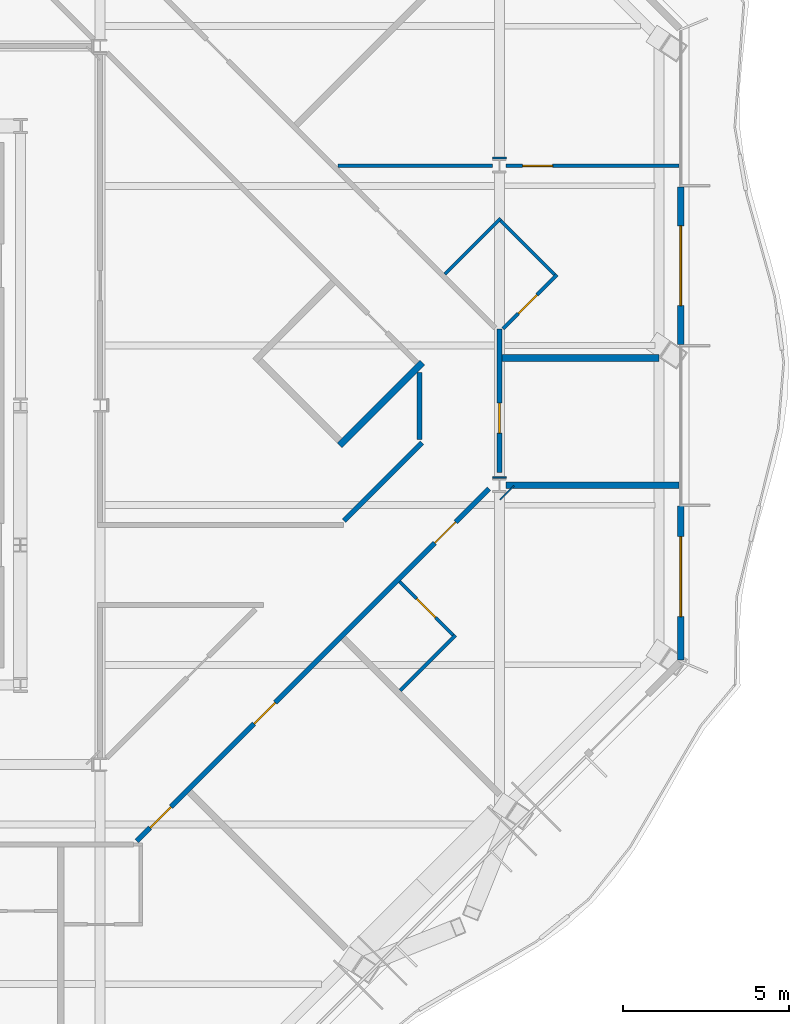
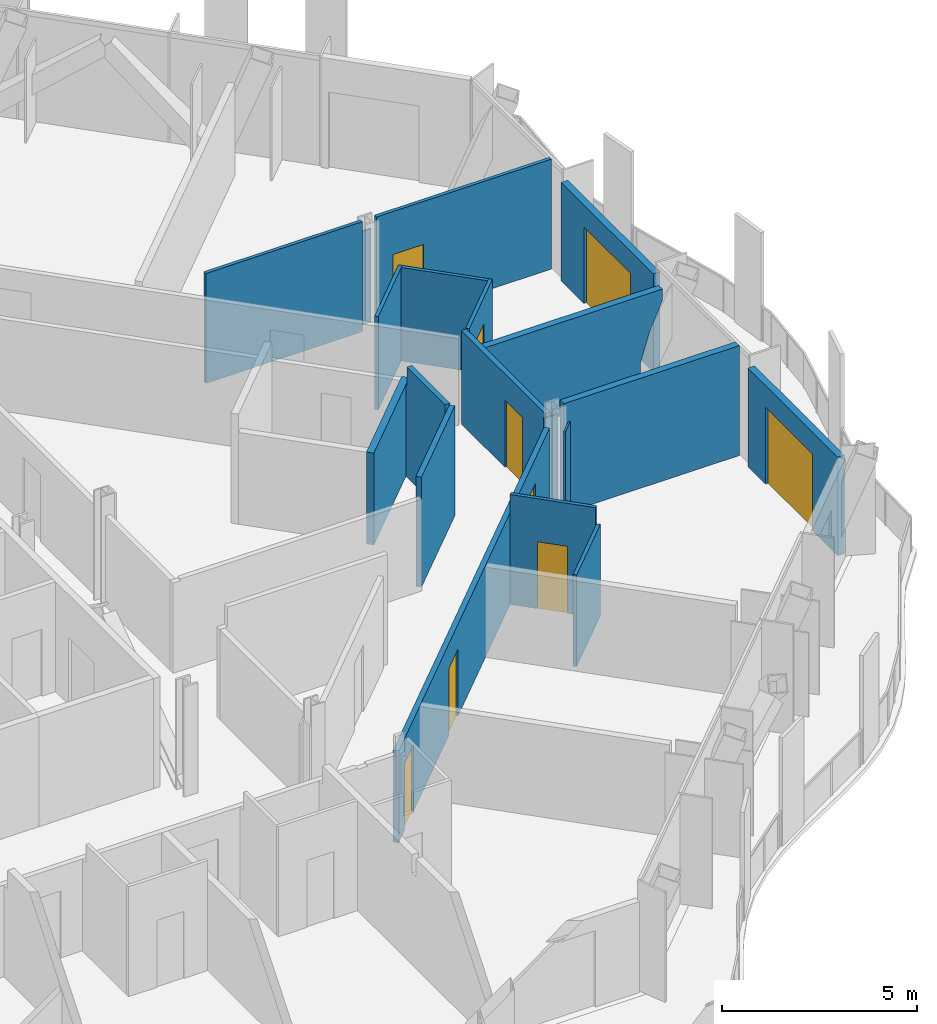
# One storey, part 11 of 21: 19 walls, 9 doors, 9 openings.
"""IFC4 building model written with IfcOpenShell, lengths in metres."""

import ifcopenshell
import ifcopenshell.guid

model = None  # the IFC model being written
_history = None  # IfcOwnerHistory: only IFC2X3 demands one
_inside = {}  # id of a spatial element -> (the spatial element, [elements in it])
_under = {}  # id of a project, library or spatial element -> (it, [spatial elements below it])
_declared = {}  # id of a project -> (the project, [libraries it declares])
_typed = {}  # id of a type object -> (the type object, [elements of that type])
_made_of = {}  # id of a material, layer set ... -> (it, [elements and type objects made of it])


def new_model(schema):
    """Start an empty IFC model of exactly this schema.

    Asked for "IFC4X3", IfcOpenShell would pick the latest addendum, in which some entities
    have other attributes; the version numbers below select the first issue.
    IFC2X3 requires an IfcOwnerHistory on every rooted entity: one is made here for all.
    """
    global model, _history
    if schema == "IFC4X3":
        model = ifcopenshell.file(schema_version=(4, 3, 0, 0))
    else:
        model = ifcopenshell.file(schema=schema)
    _inside.clear()
    _under.clear()
    _declared.clear()
    _typed.clear()
    _made_of.clear()
    _history = None
    if model.schema == "IFC2X3":
        org = make("IfcOrganization", Name="unknown")
        user = make(
            "IfcPersonAndOrganization",
            ThePerson=make("IfcPerson", FamilyName="unknown"),
            TheOrganization=org,
        )
        app = make(
            "IfcApplication",
            ApplicationDeveloper=org,
            Version="unknown",
            ApplicationFullName="unknown",
            ApplicationIdentifier="unknown",
        )
        _history = make(
            "IfcOwnerHistory",
            OwningUser=user,
            OwningApplication=app,
            ChangeAction="ADDED",
            CreationDate=0,
        )
    return model


def make(cls, **values):
    """One entity of the class cls with the attributes given. An attribute that is None is left unset."""
    return model.create_entity(
        cls, **{name: value for name, value in values.items() if value is not None}
    )


def rooted(cls, **values):
    """An entity with a GlobalId (a new one), such as an element, a storey or a relation."""
    return make(cls, GlobalId=ifcopenshell.guid.new(), OwnerHistory=_history, **values)


def si_unit(unit_type, name, prefix=None):
    """IfcSIUnit, for example si_unit("LENGTHUNIT", "METRE", prefix="MILLI")."""
    return make("IfcSIUnit", UnitType=unit_type, Prefix=prefix, Name=name)


def assignment(units):
    """IfcUnitAssignment: the units of a project."""
    return None if units is None else make("IfcUnitAssignment", Units=units)


def point(xyz):
    """IfcCartesianPoint."""
    return None if xyz is None else make("IfcCartesianPoint", Coordinates=xyz)


def direction(xyz):
    """IfcDirection."""
    return None if xyz is None else make("IfcDirection", DirectionRatios=xyz)


def frame(location, z_axis=None, x_axis=None):
    """IfcAxis2Placement3D, a coordinate frame: its origin and axes. An axis left out is left unset."""
    return make(
        "IfcAxis2Placement3D",
        Location=point(location),
        Axis=direction(z_axis),
        RefDirection=direction(x_axis),
    )


def frame_2d(location, x_axis=None):
    """IfcAxis2Placement2D, a coordinate frame in the plane: its origin and x axis."""
    return make(
        "IfcAxis2Placement2D", Location=point(location), RefDirection=direction(x_axis)
    )


def origin():
    """The frame at (0, 0, 0) with its axes left unset."""
    return frame((0.0, 0.0, 0.0))


def place(relative_to, where):
    """IfcLocalPlacement: puts the frame where relative to a parent placement (None: the world)."""
    return make(
        "IfcLocalPlacement", PlacementRelTo=relative_to, RelativePlacement=where
    )


def context(
    kind, dimensions, precision=None, world=None, true_north=None, identifier=None
):
    """IfcGeometricRepresentationContext, for example the 3D "Model" context."""
    return make(
        "IfcGeometricRepresentationContext",
        ContextIdentifier=identifier,
        ContextType=kind,
        CoordinateSpaceDimension=dimensions,
        Precision=precision,
        WorldCoordinateSystem=world,
        TrueNorth=true_north,
    )


def subcontext(parent, identifier, kind, view, scale=None):
    """IfcGeometricRepresentationSubContext, for example "Body" below "Model"."""
    return make(
        "IfcGeometricRepresentationSubContext",
        ContextIdentifier=identifier,
        ContextType=kind,
        ParentContext=parent,
        TargetScale=scale,
        TargetView=view,
    )


def project(units=None, contexts=None):
    """IfcProject with its units and contexts."""
    return rooted(
        "IfcProject",
        Name="project",
        RepresentationContexts=contexts,
        UnitsInContext=assignment(units),
    )


def spatial(cls, under=None, at=None, **own):
    """A site, building, storey or space (cls), placed at a placement, below another one or the project."""
    s = rooted(cls, ObjectPlacement=at, **own)
    if under is not None:
        _under.setdefault(under.id(), (under, []))[1].append(s)
    return s


def polyline(points):
    """IfcPolyline through the points."""
    return make("IfcPolyline", Points=[point(p) for p in points])


def profile(cls, at=None, kind="AREA", **sizes):
    """A parametric profile (cls). Its sizes go by their IFC names, for example OverallWidth=200.0."""
    return make(cls, ProfileType=kind, Position=at, **sizes)


def rectangle(**sizes):
    """IfcRectangleProfileDef."""
    return profile("IfcRectangleProfileDef", **sizes)


def outline(outer, holes=None, kind="AREA"):
    """IfcArbitraryClosedProfileDef: a profile drawn as a closed curve; with holes, ...WithVoids."""
    if holes is None:
        return make("IfcArbitraryClosedProfileDef", ProfileType=kind, OuterCurve=outer)
    return make(
        "IfcArbitraryProfileDefWithVoids",
        ProfileType=kind,
        OuterCurve=outer,
        InnerCurves=holes,
    )


def extrude(swept, where, along, depth):
    """IfcExtrudedAreaSolid: the profile swept, set in the frame where, extruded along a direction by depth."""
    return make(
        "IfcExtrudedAreaSolid",
        SweptArea=swept,
        Position=where,
        ExtrudedDirection=direction(along),
        Depth=depth,
    )


def shape(context_of_items, identifier, shape_type, items):
    """IfcShapeRepresentation: the items that make up one representation, for example the "Body"."""
    return make(
        "IfcShapeRepresentation",
        ContextOfItems=context_of_items,
        RepresentationIdentifier=identifier,
        RepresentationType=shape_type,
        Items=items,
    )


def material(Name=None, Category=None):
    """IfcMaterial."""
    return make("IfcMaterial", Name=Name, Category=Category)


def layer(
    of_material, thickness, ventilated=None, Name=None, Category=None, Priority=None
):
    """IfcMaterialLayer: one layer of a wall or slab, of a material (None: an air gap)."""
    return make(
        "IfcMaterialLayer",
        Material=of_material,
        LayerThickness=thickness,
        IsVentilated=ventilated,
        Name=Name,
        Category=Category,
        Priority=Priority,
    )


def layer_set(layers, Name=None):
    """IfcMaterialLayerSet."""
    return make("IfcMaterialLayerSet", MaterialLayers=layers, LayerSetName=Name)


def made_of(thing, what):
    """Note that an element or type object is made of a material, layer set ...; save() writes the relation."""
    if what is not None:
        _made_of.setdefault(what.id(), (what, []))[1].append(thing)
    return thing


def type_object(cls, material=None, **own):
    """A type object (cls), such as IfcWallType, which elements share."""
    return made_of(rooted(cls, **own), material)


def element(
    cls,
    number,
    at=None,
    inside=None,
    cuts=None,
    type_object=None,
    material=None,
    context=None,
    identifier="Body",
    shape_type=None,
    held_by="IfcProductDefinitionShape",
    body=None,
    shapes=None,
    **own,
):
    """One element of the class cls, such as IfcWall. Its Tag is "e" and its number.

    at: its placement. inside: the storey or other place that contains it. cuts: it is an
    opening in that element (IfcRelVoidsElement). A single representation is given by context,
    identifier, shape_type and body (its items); several are given by shapes. held_by: the class
    of the entity that holds the representations. save() writes the other relations.
    """
    e = rooted(cls, Tag="e%d" % number, ObjectPlacement=at, **own)
    if body is not None:
        shapes = [shape(context, identifier, shape_type, body)]
    if shapes is not None:
        e.Representation = make(held_by, Representations=shapes)
    if inside is not None:
        _inside.setdefault(inside.id(), (inside, []))[1].append(e)
    if cuts is not None:
        rooted(
            "IfcRelVoidsElement", RelatingBuildingElement=cuts, RelatedOpeningElement=e
        )
    if type_object is not None:
        _typed.setdefault(type_object.id(), (type_object, []))[1].append(e)
    return made_of(e, material)


def fill(opening, filler):
    """IfcRelFillsElement: the door or window that sits in an opening."""
    return rooted(
        "IfcRelFillsElement",
        RelatingOpeningElement=opening,
        RelatedBuildingElement=filler,
    )


def aggregate(whole, parts):
    """IfcRelAggregates: a whole, such as a stair, and the parts it consists of."""
    return rooted("IfcRelAggregates", RelatingObject=whole, RelatedObjects=parts)


def save(model, path):
    """Write the relations noted so far, then the file.

    IfcRelAggregates (storeys below a building ...), IfcRelContainedInSpatialStructure (elements
    in a storey), IfcRelDefinesByType, IfcRelAssociatesMaterial and IfcRelDeclares: one each for
    every whole, place, type object, material and project.
    """
    for whole, parts in _under.values():
        aggregate(whole, parts)
    for where, things in _inside.values():
        rooted(
            "IfcRelContainedInSpatialStructure",
            RelatedElements=things,
            RelatingStructure=where,
        )
    for kind, things in _typed.values():
        rooted("IfcRelDefinesByType", RelatedObjects=things, RelatingType=kind)
    for what, things in _made_of.values():
        rooted("IfcRelAssociatesMaterial", RelatedObjects=things, RelatingMaterial=what)
    for by, libraries in _declared.values():
        rooted("IfcRelDeclares", RelatingContext=by, RelatedDefinitions=libraries)
    model.write(path)


model = new_model("IFC4")

# Units and contexts
model_context = context("Model", 3, precision=1e-05, world=origin(), true_north=direction((0.0, 1.0)))
body_context = subcontext(model_context, "Body", "Model", "MODEL_VIEW")
ifc_project = project(units=[si_unit("LENGTHUNIT", "METRE"), si_unit("AREAUNIT", "SQUARE_METRE"), si_unit("VOLUMEUNIT", "CUBIC_METRE"), si_unit("PLANEANGLEUNIT", "RADIAN"), si_unit("MASSUNIT", "GRAM", prefix="KILO")], contexts=[model_context])

# Site, building, storey
site_placement = place(None, origin())
site = spatial("IfcSite", under=ifc_project, at=site_placement, CompositionType="ELEMENT")
building_placement = place(site_placement, origin())
building = spatial("IfcBuilding", under=site, at=building_placement, Name="Cairn Pilgrim Tower", CompositionType="ELEMENT")
storey_placement = place(building_placement, frame((0.0, 0.0, 179.39990234375)))
storey = spatial("IfcBuildingStorey", under=building, at=storey_placement, Name="L45", CompositionType="ELEMENT", Elevation=179.39990234375)

# Wall, opening, door
ifc_material_1 = material(Name="Bronze anodised aluminium insulated sandwich panel with mineral wool fill", Category="aluminium")
ifc_layer_1 = layer(ifc_material_1, 0.199951171875)
ifc_layer_set_1 = layer_set([ifc_layer_1], Name="BRONZE INFILL FRAME WALL 200")
wall_type_1 = type_object("IfcWallType", Name="BRONZE INFILL FRAME WALL 200", PredefinedType="NOTDEFINED", material=ifc_layer_set_1)
wall_1_placement = place(storey_placement, frame((36.64990234375, -5.25634765625, 0.0), z_axis=(0.0, 0.0, 1.0), x_axis=(0.0, 1.0, 0.0)))
wall_1 = element("IfcWall", 1, at=wall_1_placement, inside=storey, type_object=wall_type_1, Name="Bronze infill frame wall IW-E1", PredefinedType="NOTDEFINED", context=body_context, shape_type="SweptSolid", body=[
    extrude(rectangle(XDim=4.62646484375, YDim=0.199951171875, at=frame_2d((2.313232421875, 0.0))), origin(), (0.0, 0.0, 1.0), 3.090087890625),
])
opening_1_placement = place(wall_1_placement, frame((1.308349609375, 0.0, 0.0)))
opening_1 = element("IfcOpeningElement", 2, at=opening_1_placement, cuts=wall_1, Name="Opening 4505B", PredefinedType="OPENING", context=body_context, shape_type="SweptSolid", body=[
    extrude(rectangle(XDim=2.39990234375, YDim=2.39990234375, at=frame_2d((1.199951171875, 1.199951171875))), frame((0.0, 0.10986328125, 0.0), z_axis=(0.0, -1.0, 0.0), x_axis=(1.0, 0.0, 0.0)), (0.0, 0.0, 1.0), 0.219970703125),
])
ifc_material_2 = material(Name="Bronze anodised aluminium frame with tinted low-E glass", Category="aluminium")
door_type_1 = type_object("IfcDoorType", Name="BALCONY SLIDING DOOR 2400x2400", OperationType="DOUBLE_DOOR_SLIDING", PredefinedType="DOOR", material=ifc_material_2)
door_1_placement = place(opening_1_placement, origin())
door_1 = element("IfcDoor", 3, at=door_1_placement, inside=storey, type_object=door_type_1, Name="Balcony sliding door 4505B", OperationType="SINGLE_SWING_LEFT", OverallHeight=2.39990234375, OverallWidth=2.39990234375, PredefinedType="DOOR", context=body_context, shape_type="SweptSolid", body=[
    extrude(rectangle(XDim=2.39990234375, YDim=2.39990234375, at=frame_2d((1.199951171875, 1.199951171875))), frame((0.0, 0.02490234375, 0.0), z_axis=(0.0, -1.0, 0.0), x_axis=(1.0, 0.0, 0.0)), (0.0, 0.0, 1.0), 0.050048828125),
])
fill(opening_1, door_1)

wall_2_placement = place(storey_placement, frame((36.64990234375, 4.22998046875, 0.0), z_axis=(0.0, 0.0, 1.0), x_axis=(0.0, 1.0, 0.0)))
wall_2 = element("IfcWall", 4, at=wall_2_placement, inside=storey, type_object=wall_type_1, Name="Bronze infill frame wall IW-E3", PredefinedType="NOTDEFINED", context=body_context, shape_type="SweptSolid", body=[
    extrude(rectangle(XDim=4.739990234375, YDim=0.199951171875, at=frame_2d((2.3701171875, 0.0))), origin(), (0.0, 0.0, 1.0), 3.090087890625),
])
opening_2_placement = place(wall_2_placement, frame((1.169921875, 0.0, 0.0)))
opening_2 = element("IfcOpeningElement", 5, at=opening_2_placement, cuts=wall_2, Name="Opening 4507B", PredefinedType="OPENING", context=body_context, shape_type="SweptSolid", body=[
    extrude(rectangle(XDim=2.39990234375, YDim=2.39990234375, at=frame_2d((1.199951171875, 1.199951171875))), frame((0.0, 0.10986328125, 0.0), z_axis=(0.0, -1.0, 0.0), x_axis=(1.0, 0.0, 0.0)), (0.0, 0.0, 1.0), 0.219970703125),
])
door_2_placement = place(opening_2_placement, origin())
door_2 = element("IfcDoor", 6, at=door_2_placement, inside=storey, type_object=door_type_1, Name="Balcony sliding door 4507B", OperationType="SINGLE_SWING_LEFT", OverallHeight=2.39990234375, OverallWidth=2.39990234375, PredefinedType="DOOR", context=body_context, shape_type="SweptSolid", body=[
    extrude(rectangle(XDim=2.39990234375, YDim=2.39990234375, at=frame_2d((1.199951171875, 1.199951171875))), frame((0.0, 0.02490234375, 0.0), z_axis=(0.0, -1.0, 0.0), x_axis=(1.0, 0.0, 0.0)), (0.0, 0.0, 1.0), 0.050048828125),
])
fill(opening_2, door_2)

# Wall
ifc_material_3 = material(Name="Gypsum partition")
ifc_layer_2 = layer(ifc_material_3, 0.10009765625)
ifc_layer_set_2 = layer_set([ifc_layer_2], Name="PARTITION 100 DRYWALL")
wall_type_2 = type_object("IfcWallType", Name="PARTITION 100 DRYWALL", PredefinedType="PARTITIONING", material=ifc_layer_set_2)
wall_3_placement = place(storey_placement, frame((28.220703125, -6.167236328125, 0.0), z_axis=(0.0, 0.0, 1.0), x_axis=(0.707106781187, 0.707106781187, 0.0)))
element("IfcWall", 7, at=wall_3_placement, inside=storey, type_object=wall_type_2, Name="PARTITION W032", PredefinedType="PARTITIONING", context=body_context, shape_type="SweptSolid", body=[
    extrude(rectangle(XDim=2.349853515625, YDim=0.10009765625, at=frame_2d((1.1748046875, 0.0))), origin(), (0.0, 0.0, 1.0), 2.880126953125),
])

# Wall, opening, door
wall_4_placement = place(storey_placement, frame((29.8115234375, -4.505615234375, 0.0), z_axis=(0.0, 0.0, 1.0), x_axis=(-0.707106781187, 0.707106781187, 0.0)))
wall_4 = element("IfcWall", 8, at=wall_4_placement, inside=storey, type_object=wall_type_2, Name="PARTITION W033", PredefinedType="PARTITIONING", context=body_context, shape_type="SweptSolid", body=[
    extrude(rectangle(XDim=2.27490234375, YDim=0.10009765625, at=frame_2d((1.137451171875, 0.0))), origin(), (0.0, 0.0, 1.0), 3.4501953125),
])
opening_3_placement = place(wall_4_placement, frame((0.75, 0.0, 0.0)))
opening_3 = element("IfcOpeningElement", 9, at=opening_3_placement, cuts=wall_4, Name="Opening 4505A", PredefinedType="OPENING", context=body_context, shape_type="SweptSolid", body=[
    extrude(rectangle(XDim=0.800048828125, YDim=2.10009765625, at=frame_2d((0.39990234375, 1.050048828125))), frame((0.0, 0.06005859375, 0.0), z_axis=(0.0, -1.0, 0.0), x_axis=(1.0, 0.0, 0.0)), (0.0, 0.0, 1.0), 0.1201171875),
])
ifc_material_4 = material(Name="Timber door leaf", Category="wood")
door_type_2 = type_object("IfcDoorType", Name="WC DOOR 800x2100", OperationType="NOTDEFINED", PredefinedType="DOOR", material=ifc_material_4)
door_3_placement = place(opening_3_placement, frame((0.800048828125, 0.0, 0.0), z_axis=(0.0, 0.0, 1.0), x_axis=(-1.0, 0.0, 0.0)))
door_3 = element("IfcDoor", 10, at=door_3_placement, inside=storey, type_object=door_type_2, Name="DOOR 4505A", OperationType="SINGLE_SWING_RIGHT", OverallHeight=2.10009765625, OverallWidth=0.800048828125, PredefinedType="DOOR", context=body_context, shape_type="SweptSolid", body=[
    extrude(rectangle(XDim=0.800048828125, YDim=2.10009765625, at=frame_2d((0.39990234375, 1.050048828125))), frame((0.0, 0.02490234375, 0.0), z_axis=(0.0, -1.0, 0.0), x_axis=(1.0, 0.0, 0.0)), (0.0, 0.0, 1.0), 0.050048828125),
])
fill(opening_3, door_3)

wall_5_placement = place(storey_placement, frame((31.310302734375, 4.704345703125, 0.0), z_axis=(0.0, 0.0, 1.0), x_axis=(0.707106781187, 0.707106781187, 0.0)))
wall_5 = element("IfcWall", 11, at=wall_5_placement, inside=storey, type_object=wall_type_2, Name="PARTITION W062", PredefinedType="PARTITIONING", context=body_context, shape_type="SweptSolid", body=[
    extrude(rectangle(XDim=2.2939453125, YDim=0.10009765625, at=frame_2d((1.14697265625, 0.0))), origin(), (0.0, 0.0, 1.0), 2.93017578125),
])
opening_4_placement = place(wall_5_placement, frame((0.64404296875, 0.0, 0.0)))
opening_4 = element("IfcOpeningElement", 12, at=opening_4_placement, cuts=wall_5, Name="Opening 4507A", PredefinedType="OPENING", context=body_context, shape_type="SweptSolid", body=[
    extrude(rectangle(XDim=0.800048828125, YDim=2.10009765625, at=frame_2d((0.39990234375, 1.050048828125))), frame((0.0, 0.06005859375, 0.0), z_axis=(0.0, -1.0, 0.0), x_axis=(1.0, 0.0, 0.0)), (0.0, 0.0, 1.0), 0.1201171875),
])
door_4_placement = place(opening_4_placement, frame((0.800048828125, 0.0, 0.0), z_axis=(0.0, 0.0, 1.0), x_axis=(-1.0, 0.0, 0.0)))
door_4 = element("IfcDoor", 13, at=door_4_placement, inside=storey, type_object=door_type_2, Name="DOOR 4507A", OperationType="SINGLE_SWING_RIGHT", OverallHeight=2.10009765625, OverallWidth=0.800048828125, PredefinedType="DOOR", context=body_context, shape_type="SweptSolid", body=[
    extrude(rectangle(XDim=0.800048828125, YDim=2.10009765625, at=frame_2d((0.39990234375, 1.050048828125))), frame((0.0, 0.02490234375, 0.0), z_axis=(0.0, -1.0, 0.0), x_axis=(1.0, 0.0, 0.0)), (0.0, 0.0, 1.0), 0.050048828125),
])
fill(opening_4, door_4)

# Walls
wall_6_placement = place(storey_placement, frame((29.555908203125, 6.343994140625, 0.0), z_axis=(0.0, 0.0, 1.0), x_axis=(0.707158179099, 0.707055379538, 0.0)))
element("IfcWall", 14, at=wall_6_placement, inside=storey, type_object=wall_type_2, Name="PARTITION W065", PredefinedType="PARTITIONING", context=body_context, shape_type="SweptSolid", body=[
    extrude(rectangle(XDim=2.375, YDim=0.10009765625, at=frame_2d((1.1875, 0.0))), origin(), (0.0, 0.0, 1.0), 2.93017578125),
])
wall_7_placement = place(storey_placement, frame((32.861572265625, 6.326416015625, 0.0), z_axis=(0.0, 0.0, 1.0), x_axis=(-0.707106781187, 0.707106781187, 0.0)))
element("IfcWall", 15, at=wall_7_placement, inside=storey, type_object=wall_type_2, Name="PARTITION W066", PredefinedType="PARTITIONING", context=body_context, shape_type="SweptSolid", body=[
    extrude(rectangle(XDim=2.2998046875, YDim=0.10009765625, at=frame_2d((1.14990234375, 0.0))), origin(), (0.0, 0.0, 1.0), 2.93017578125),
])
wall_8_placement = place(storey_placement, frame((26.35009765625, 9.60009765625, 0.0), z_axis=(0.0, 0.0, 1.0), x_axis=(1.0, 0.0, 0.0)))
element("IfcWall", 16, at=wall_8_placement, inside=storey, type_object=wall_type_2, Name="PARTITION W070", PredefinedType="PARTITIONING", context=body_context, shape_type="SweptSolid", body=[
    extrude(rectangle(XDim=4.6455078125, YDim=0.10009765625, at=frame_2d((2.32275390625, 0.0))), origin(), (0.0, 0.0, 1.0), 3.4501953125),
])

# Wall, opening, door
wall_9_placement = place(storey_placement, frame((31.404541015625, 9.60009765625, 0.0), z_axis=(0.0, 0.0, 1.0), x_axis=(1.0, 0.0, 0.0)))
wall_9 = element("IfcWall", 17, at=wall_9_placement, inside=storey, type_object=wall_type_2, Name="PARTITION W071", PredefinedType="PARTITIONING", context=body_context, shape_type="SweptSolid", body=[
    extrude(rectangle(XDim=5.198486328125, YDim=0.10009765625, at=frame_2d((2.59912109375, 0.0))), origin(), (0.0, 0.0, 1.0), 3.4501953125),
])
opening_5_placement = place(wall_9_placement, frame((0.492431640625, 0.0, 0.0)))
opening_5 = element("IfcOpeningElement", 18, at=opening_5_placement, cuts=wall_9, Name="Opening 4520", PredefinedType="OPENING", context=body_context, shape_type="SweptSolid", body=[
    extrude(rectangle(XDim=0.89990234375, YDim=2.10009765625, at=frame_2d((0.449951171875, 1.050048828125))), frame((0.0, 0.06005859375, 0.0), z_axis=(0.0, -1.0, 0.0), x_axis=(1.0, 0.0, 0.0)), (0.0, 0.0, 1.0), 0.1201171875),
])
door_type_3 = type_object("IfcDoorType", Name="SERVICE DOOR 900x2100", OperationType="NOTDEFINED", PredefinedType="DOOR", material=ifc_material_4)
door_5_placement = place(opening_5_placement, frame((0.89990234375, 0.0, 0.0), z_axis=(0.0, 0.0, 1.0), x_axis=(-1.0, 0.0, 0.0)))
door_5 = element("IfcDoor", 19, at=door_5_placement, inside=storey, type_object=door_type_3, Name="DOOR 4520", OperationType="SINGLE_SWING_LEFT", OverallHeight=2.10009765625, OverallWidth=0.89990234375, PredefinedType="DOOR", context=body_context, shape_type="SweptSolid", body=[
    extrude(rectangle(XDim=0.89990234375, YDim=2.10009765625, at=frame_2d((0.449951171875, 1.050048828125))), frame((0.0, 0.02490234375, 0.0), z_axis=(0.0, -1.0, 0.0), x_axis=(1.0, 0.0, 0.0)), (0.0, 0.0, 1.0), 0.050048828125),
])
fill(opening_5, door_5)

# Wall, openings, doors
ifc_layer_3 = layer(ifc_material_3, 0.14990234375)
ifc_layer_set_3 = layer_set([ifc_layer_3], Name="PARTITION 150 DRYWALL EI 60")
wall_type_3 = type_object("IfcWallType", Name="PARTITION 150 DRYWALL EI 60", PredefinedType="PARTITIONING", material=ifc_layer_set_3)
wall_10_placement = place(storey_placement, frame((20.297119140625, -10.697021484375, 0.0), z_axis=(0.0, 0.0, 1.0), x_axis=(0.707098631462, 0.707114930817, 0.0)))
wall_10 = element("IfcWall", 20, at=wall_10_placement, inside=storey, type_object=wall_type_3, Name="PARTITION W024", PredefinedType="PARTITIONING", context=body_context, shape_type="SweptSolid", body=[
    extrude(rectangle(XDim=14.978515625, YDim=0.14990234375, at=frame_2d((7.4892578125, 0.0))), origin(), (0.0, 0.0, 1.0), 2.880126953125),
])
opening_6_placement = place(wall_10_placement, frame((0.560546875, 0.0, 0.0)))
opening_6 = element("IfcOpeningElement", 21, at=opening_6_placement, cuts=wall_10, Name="Opening 4503", PredefinedType="OPENING", context=body_context, shape_type="SweptSolid", body=[
    extrude(rectangle(XDim=0.89990234375, YDim=2.10009765625, at=frame_2d((0.449951171875, 1.050048828125))), frame((0.0, 0.0849609375, 0.0), z_axis=(0.0, -1.0, 0.0), x_axis=(1.0, 0.0, 0.0)), (0.0, 0.0, 1.0), 0.169921875),
])
opening_7_placement = place(wall_10_placement, frame((4.98583984375, 0.0, 0.0)))
opening_7 = element("IfcOpeningElement", 22, at=opening_7_placement, cuts=wall_10, Name="Opening 4504", PredefinedType="OPENING", context=body_context, shape_type="SweptSolid", body=[
    extrude(rectangle(XDim=0.89990234375, YDim=2.10009765625, at=frame_2d((0.449951171875, 1.050048828125))), frame((0.0, 0.0849609375, 0.0), z_axis=(0.0, -1.0, 0.0), x_axis=(1.0, 0.0, 0.0)), (0.0, 0.0, 1.0), 0.169921875),
])
opening_8_placement = place(wall_10_placement, frame((12.666748046875, 0.0, 0.0)))
opening_8 = element("IfcOpeningElement", 23, at=opening_8_placement, cuts=wall_10, Name="Opening 4505", PredefinedType="OPENING", context=body_context, shape_type="SweptSolid", body=[
    extrude(rectangle(XDim=0.89990234375, YDim=2.10009765625, at=frame_2d((0.449951171875, 1.050048828125))), frame((0.0, 0.0849609375, 0.0), z_axis=(0.0, -1.0, 0.0), x_axis=(1.0, 0.0, 0.0)), (0.0, 0.0, 1.0), 0.169921875),
])
door_type_4 = type_object("IfcDoorType", Name="ROOM DOOR 900x2100 FD30S", OperationType="NOTDEFINED", PredefinedType="DOOR", material=ifc_material_4)
door_6_placement = place(opening_6_placement, frame((0.89990234375, 0.0, 0.0), z_axis=(0.0, 0.0, 1.0), x_axis=(-1.0, 0.0, 0.0)))
door_6 = element("IfcDoor", 24, at=door_6_placement, inside=storey, type_object=door_type_4, Name="DOOR 4503", OperationType="SINGLE_SWING_RIGHT", OverallHeight=2.10009765625, OverallWidth=0.89990234375, PredefinedType="DOOR", context=body_context, shape_type="SweptSolid", body=[
    extrude(rectangle(XDim=0.89990234375, YDim=2.10009765625, at=frame_2d((0.449951171875, 1.050048828125))), frame((0.0, 0.02490234375, 0.0), z_axis=(0.0, -1.0, 0.0), x_axis=(1.0, 0.0, 0.0)), (0.0, 0.0, 1.0), 0.050048828125),
])
fill(opening_6, door_6)
door_7_placement = place(opening_8_placement, frame((0.89990234375, 0.0, 0.0), z_axis=(0.0, 0.0, 1.0), x_axis=(-1.0, 0.0, 0.0)))
door_7 = element("IfcDoor", 25, at=door_7_placement, inside=storey, type_object=door_type_4, Name="DOOR 4505", OperationType="SINGLE_SWING_RIGHT", OverallHeight=2.10009765625, OverallWidth=0.89990234375, PredefinedType="DOOR", context=body_context, shape_type="SweptSolid", body=[
    extrude(rectangle(XDim=0.89990234375, YDim=2.10009765625, at=frame_2d((0.449951171875, 1.050048828125))), frame((0.0, 0.02490234375, 0.0), z_axis=(0.0, -1.0, 0.0), x_axis=(1.0, 0.0, 0.0)), (0.0, 0.0, 1.0), 0.050048828125),
])
fill(opening_8, door_7)
door_type_5 = type_object("IfcDoorType", Name="SERVICE DOOR 900x2100 FD30S", OperationType="NOTDEFINED", PredefinedType="DOOR", material=ifc_material_4)
door_8_placement = place(opening_7_placement, frame((0.89990234375, 0.0, 0.0), z_axis=(0.0, 0.0, 1.0), x_axis=(-1.0, 0.0, 0.0)))
door_8 = element("IfcDoor", 26, at=door_8_placement, inside=storey, type_object=door_type_5, Name="DOOR 4504", OperationType="SINGLE_SWING_RIGHT", OverallHeight=2.10009765625, OverallWidth=0.89990234375, PredefinedType="DOOR", context=body_context, shape_type="SweptSolid", body=[
    extrude(rectangle(XDim=0.89990234375, YDim=2.10009765625, at=frame_2d((0.449951171875, 1.050048828125))), frame((0.0, 0.02490234375, 0.0), z_axis=(0.0, -1.0, 0.0), x_axis=(1.0, 0.0, 0.0)), (0.0, 0.0, 1.0), 0.050048828125),
])
fill(opening_7, door_8)

# Wall
wall_11_placement = place(storey_placement, frame((26.528076171875, -1.072021484375, 0.0), z_axis=(0.0, 0.0, 1.0), x_axis=(0.707106781187, 0.707106781187, 0.0)))
element("IfcWall", 27, at=wall_11_placement, inside=storey, type_object=wall_type_3, Name="PARTITION W043", PredefinedType="PARTITIONING", context=body_context, shape_type="SweptSolid", body=[
    extrude(rectangle(XDim=3.319091796875, YDim=0.14990234375, at=frame_2d((1.65966796875, 0.0))), origin(), (0.0, 0.0, 1.0), 3.4501953125),
])

# Wall, opening, door
wall_12_placement = place(storey_placement, frame((31.199951171875, 0.38720703125, 0.0), z_axis=(0.0, 0.0, 1.0), x_axis=(0.0, 1.0, 0.0)))
wall_12 = element("IfcWall", 28, at=wall_12_placement, inside=storey, type_object=wall_type_3, Name="PARTITION W046", PredefinedType="PARTITIONING", context=body_context, shape_type="SweptSolid", body=[
    extrude(rectangle(XDim=4.31298828125, YDim=0.14990234375, at=frame_2d((2.156494140625, 0.0))), origin(), (0.0, 0.0, 1.0), 2.93017578125),
])
opening_9_placement = place(wall_12_placement, frame((1.177978515625, 0.0, 0.0)))
opening_9 = element("IfcOpeningElement", 29, at=opening_9_placement, cuts=wall_12, Name="Opening 4506", PredefinedType="OPENING", context=body_context, shape_type="SweptSolid", body=[
    extrude(rectangle(XDim=0.89990234375, YDim=2.10009765625, at=frame_2d((0.449951171875, 1.050048828125))), frame((0.0, 0.0849609375, 0.0), z_axis=(0.0, -1.0, 0.0), x_axis=(1.0, 0.0, 0.0)), (0.0, 0.0, 1.0), 0.169921875),
])
door_9_placement = place(opening_9_placement, frame((0.89990234375, 0.0, 0.0), z_axis=(0.0, 0.0, 1.0), x_axis=(-1.0, 0.0, 0.0)))
door_9 = element("IfcDoor", 30, at=door_9_placement, inside=storey, type_object=door_type_5, Name="DOOR 4506", OperationType="SINGLE_SWING_RIGHT", OverallHeight=2.10009765625, OverallWidth=0.89990234375, PredefinedType="DOOR", context=body_context, shape_type="SweptSolid", body=[
    extrude(rectangle(XDim=0.89990234375, YDim=2.10009765625, at=frame_2d((0.449951171875, 1.050048828125))), frame((0.0, 0.02490234375, 0.0), z_axis=(0.0, -1.0, 0.0), x_axis=(1.0, 0.0, 0.0)), (0.0, 0.0, 1.0), 0.050048828125),
])
fill(opening_9, door_9)

# Walls
wall_13_placement = place(storey_placement, frame((28.800048828125, 1.381103515625, 0.0), z_axis=(0.0, 0.0, 1.0), x_axis=(0.0, 1.0, 0.0)))
element("IfcWall", 31, at=wall_13_placement, inside=storey, type_object=wall_type_3, Name="PARTITION W050", PredefinedType="PARTITIONING", context=body_context, shape_type="SweptSolid", body=[
    extrude(outline(polyline([(0.0, 0.0), (2.00244140625, 0.0), (2.00244140625, 2.880126953125), (1.9638671875, 2.880126953125), (1.9619140625, 3.4501953125), (0.0, 3.4501953125), (0.0, 0.0)])), frame((0.0, 0.074951171875, 0.0), z_axis=(0.0, -1.0, 0.0), x_axis=(1.0, 0.0, 0.0)), (0.0, 0.0, 1.0), 0.14990234375),
])
ifc_layer_4 = layer(ifc_material_3, 0.050048828125)
ifc_layer_set_4 = layer_set([ifc_layer_4], Name="PARTITION 50 DRYWALL")
wall_type_4 = type_object("IfcWallType", Name="PARTITION 50 DRYWALL", PredefinedType="PARTITIONING", material=ifc_layer_set_4)
wall_14_placement = place(storey_placement, frame((30.99560546875, 9.83740234375, 0.0), z_axis=(0.0, 0.0, 1.0), x_axis=(1.0, 0.0, 0.0)))
element("IfcWall", 32, at=wall_14_placement, inside=storey, type_object=wall_type_4, Name="COLUMN CASING WC23", PredefinedType="PARTITIONING", context=body_context, shape_type="SweptSolid", body=[
    extrude(rectangle(XDim=0.408935546875, YDim=0.050048828125, at=frame_2d((0.20458984375, 0.0))), origin(), (0.0, 0.0, 1.0), 2.93017578125),
])
ifc_layer_5 = layer(ifc_material_3, 0.050048828125)
ifc_layer_set_5 = layer_set([ifc_layer_5], Name="PARTITION 50 DRYWALL EI 60")
wall_type_5 = type_object("IfcWallType", Name="PARTITION 50 DRYWALL EI 60", PredefinedType="PARTITIONING", material=ifc_layer_set_5)
wall_15_placement = place(storey_placement, frame((31.2177734375, -0.434814453125, 0.0), z_axis=(0.0, 0.0, 1.0), x_axis=(0.706899813022, 0.70731368879, 0.0)))
element("IfcWall", 33, at=wall_15_placement, inside=storey, type_object=wall_type_5, Name="COLUMN CASING WC05", PredefinedType="PARTITIONING", context=body_context, shape_type="SweptSolid", body=[
    extrude(rectangle(XDim=0.58984375, YDim=0.050048828125, at=frame_2d((0.294921875, 0.0))), origin(), (0.0, 0.0, 1.0), 2.830078125),
])
wall_16_placement = place(storey_placement, frame((30.99560546875, 0.237548828125, 0.0), z_axis=(0.0, 0.0, 1.0), x_axis=(1.0, 0.0, 0.0)))
element("IfcWall", 34, at=wall_16_placement, inside=storey, type_object=wall_type_5, Name="COLUMN CASING WC19", PredefinedType="PARTITIONING", context=body_context, shape_type="SweptSolid", body=[
    extrude(rectangle(XDim=0.408935546875, YDim=0.050048828125, at=frame_2d((0.20458984375, 0.0))), origin(), (0.0, 0.0, 1.0), 2.93017578125),
])
ifc_layer_6 = layer(ifc_material_3, 0.199951171875)
ifc_layer_set_6 = layer_set([ifc_layer_6], Name="SHAFT WALL 200 GYPSUM EI 60")
wall_type_6 = type_object("IfcWallType", Name="SHAFT WALL 200 GYPSUM EI 60", PredefinedType="PARTITIONING", material=ifc_layer_set_6)
wall_17_placement = place(storey_placement, frame((31.404541015625, 0.0, 0.0), z_axis=(0.0, 0.0, 1.0), x_axis=(1.0, 0.0, 0.0)))
element("IfcWall", 35, at=wall_17_placement, inside=storey, type_object=wall_type_6, Name="PARTITION W044", PredefinedType="PARTITIONING", context=body_context, shape_type="SweptSolid", body=[
    extrude(rectangle(XDim=5.198486328125, YDim=0.199951171875, at=frame_2d((2.59912109375, 0.0))), origin(), (0.0, 0.0, 1.0), 3.4501953125),
])
wall_18_placement = place(storey_placement, frame((26.395263671875, 1.1953125, 0.0), z_axis=(0.0, 0.0, 1.0), x_axis=(0.707106781187, 0.707106781187, 0.0)))
element("IfcWall", 36, at=wall_18_placement, inside=storey, type_object=wall_type_6, Name="PARTITION W047", PredefinedType="PARTITIONING", context=body_context, shape_type="SweptSolid", body=[
    extrude(rectangle(XDim=3.517333984375, YDim=0.199951171875, at=frame_2d((1.7587890625, 0.0))), origin(), (0.0, 0.0, 1.0), 2.880126953125),
])
wall_19_placement = place(storey_placement, frame((31.27490234375, 3.824951171875, 0.0), z_axis=(0.0, 0.0, 1.0), x_axis=(1.0, 0.0, 0.0)))
element("IfcWall", 37, at=wall_19_placement, inside=storey, type_object=wall_type_6, Name="PARTITION W059", PredefinedType="PARTITIONING", context=body_context, shape_type="SweptSolid", body=[
    extrude(outline(polyline([(0.0, 0.0), (4.5966796875, 0.0), (4.6083984375, 0.862548828125), (4.8779296875, 1.72509765625), (5.2587890625, 2.587646484375), (5.2587890625, 2.93017578125), (0.0, 2.93017578125), (0.0, 2.587646484375), (0.0, 1.72509765625), (0.0, 0.862548828125), (0.0, 0.0)])), frame((0.0, 0.10009765625, 0.0), z_axis=(0.0, -1.0, 0.0), x_axis=(1.0, 0.0, 0.0)), (0.0, 0.0, 1.0), 0.199951171875),
])

save(model, "model.ifc")
